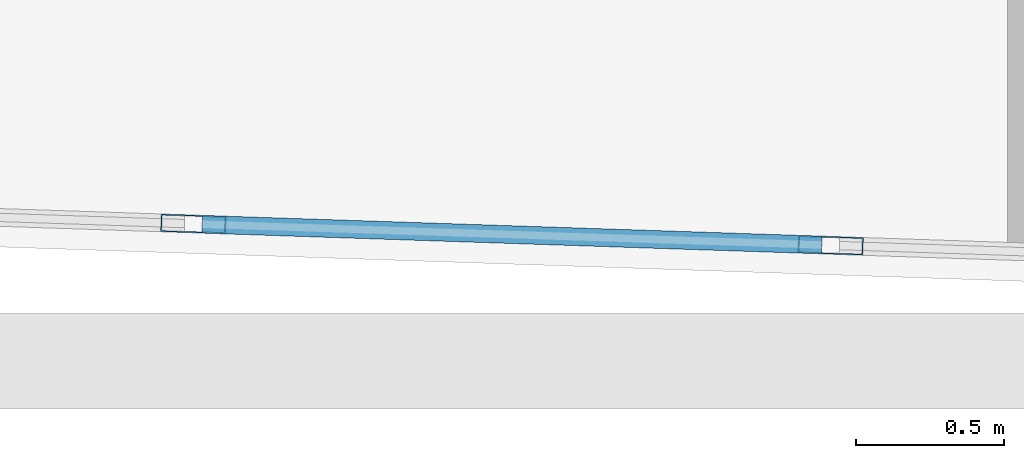
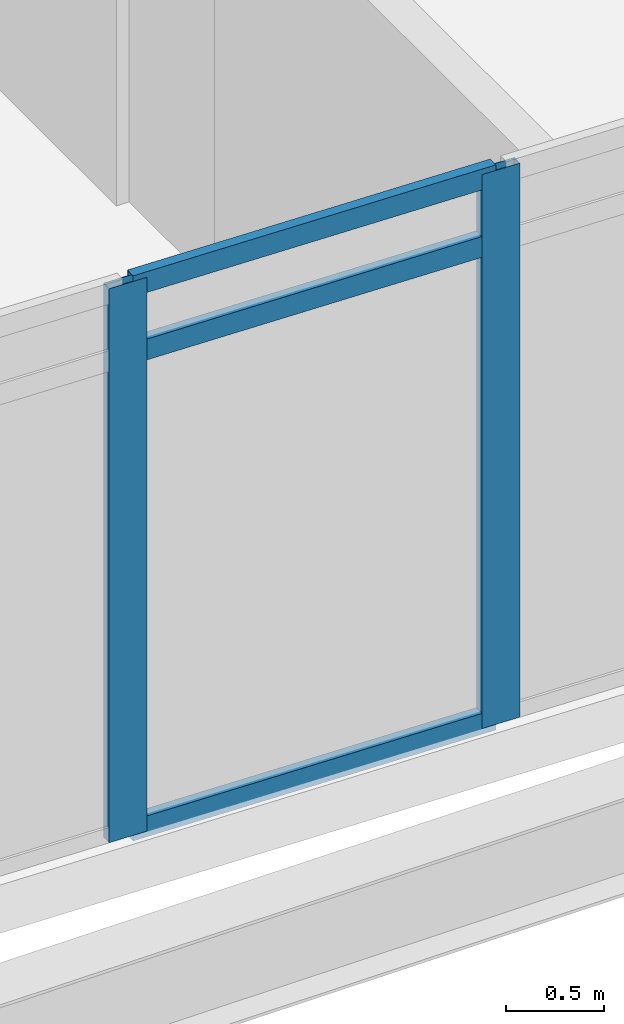
# One storey, part 5 of 29: 5 members, 1 element without a shape of its own.
"""IFC4 building model written with IfcOpenShell, lengths in metres."""

from ifc_helpers import new_model, si_unit, direction, frame, origin, origin_2d, place, context, subcontext, project, spatial, hollow_rectangle, extrude, material, material_profile, profile_set, type_object, element, aggregate, save


model = new_model("IFC4")

# Units and contexts
model_context = context("Model", 3, precision=1e-05, world=origin(), true_north=direction((0.0, 1.0)))
body_context = subcontext(model_context, "Body", "Model", "MODEL_VIEW")
ifc_project = project(units=[si_unit("LENGTHUNIT", "METRE"), si_unit("AREAUNIT", "SQUARE_METRE"), si_unit("VOLUMEUNIT", "CUBIC_METRE"), si_unit("PLANEANGLEUNIT", "RADIAN"), si_unit("MASSUNIT", "GRAM", prefix="KILO")], contexts=[model_context])

# Site, building, storey
site_placement = place(None, origin())
site = spatial("IfcSite", under=ifc_project, at=site_placement, CompositionType="ELEMENT")
building_placement = place(site_placement, origin())
building = spatial("IfcBuilding", under=site, at=building_placement, Name="Ostrander Bayou Hotel Tower", CompositionType="ELEMENT")
storey_placement = place(building_placement, frame((0.0, 0.0, 202.0)))
storey = spatial("IfcBuildingStorey", under=building, at=storey_placement, Name="L50", CompositionType="ELEMENT", Elevation=202.0)

# Curtain wall, members
ifc_material_1 = material(Name="Aluminium and clear glass", Category="aluminium")
curtain_wall_type = type_object("IfcCurtainWallType", Name="CW-BAR glazed wall", PredefinedType="NOTDEFINED", material=ifc_material_1)
curtain_wall_placement = place(storey_placement, origin())
curtain_wall = element("IfcCurtainWall", 1, at=curtain_wall_placement, inside=storey, type_object=curtain_wall_type, Name="CW-BAR L50:SB4S:T", PredefinedType="NOTDEFINED")
ifc_material_2 = material(Name="Aluminium", Category="aluminium")
ifc_material_profile_1 = material_profile(ifc_material_2, hollow_rectangle(XDim=0.06005859375, YDim=0.219970703125, WallThickness=0.00390625, at=origin_2d()))
ifc_profile_set_1 = profile_set([ifc_material_profile_1], Name="Aluminium")
member_type_1 = type_object("IfcMemberType", Name="CW-BR mullion 60 x 220 mm", PredefinedType="MULLION", material=ifc_profile_set_1)
member_1_placement = place(storey_placement, frame((1.077880859375, -29.68603515625, 0.0), z_axis=(0.0, 0.0, 1.0), x_axis=(0.03350511268, 0.999438546097, 0.0)))
member_1 = element("IfcMember", 2, at=member_1_placement, type_object=member_type_1, Name="CW-BAR mullion 7", PredefinedType="MULLION", context=body_context, shape_type="SweptSolid", body=[
    extrude(hollow_rectangle(XDim=0.06005859375, YDim=0.219970703125, WallThickness=0.00390625, at=origin_2d()), origin(), (0.0, 0.0, 1.0), 3.449951171875),
])
member_2_placement = place(storey_placement, frame((3.23388671875, -29.75830078125, 0.0), z_axis=(0.0, 0.0, 1.0), x_axis=(0.03350511268, 0.999438546097, 0.0)))
member_2 = element("IfcMember", 3, at=member_2_placement, type_object=member_type_1, Name="CW-BAR mullion 8", PredefinedType="MULLION", context=body_context, shape_type="SweptSolid", body=[
    extrude(hollow_rectangle(XDim=0.06005859375, YDim=0.219970703125, WallThickness=0.00390625, at=origin_2d()), origin(), (0.0, 0.0, 1.0), 3.449951171875),
])
ifc_material_3 = material(Name="Aluminium", Category="aluminium")
ifc_material_profile_2 = material_profile(ifc_material_3, hollow_rectangle(XDim=0.06005859375, YDim=0.1298828125, WallThickness=0.00390625, at=origin_2d()))
ifc_profile_set_2 = profile_set([ifc_material_profile_2], Name="Aluminium")
member_type_2 = type_object("IfcMemberType", Name="CW-BR transom 60 x 130 mm", PredefinedType="USERDEFINED", material=ifc_profile_set_2)
member_3_placement = place(storey_placement, frame((1.10791015625, -29.687255859375, 0.030029296875), z_axis=(0.999441672059, -0.033411736736, 0.0), x_axis=(0.033411736736, 0.999441672059, 0.0)))
member_3 = element("IfcMember", 4, at=member_3_placement, type_object=member_type_2, Name="CW-BAR transom 7.1", ObjectType="TRANSOM", PredefinedType="USERDEFINED", context=body_context, shape_type="SweptSolid", body=[
    extrude(hollow_rectangle(XDim=0.06005859375, YDim=0.1298828125, WallThickness=0.00390625, at=origin_2d()), origin(), (0.0, 0.0, 1.0), 2.09716796875),
])
member_4_placement = place(storey_placement, frame((1.10791015625, -29.687255859375, 3.0), z_axis=(0.999441672059, -0.033411736736, 0.0), x_axis=(0.033411736736, 0.999441672059, 0.0)))
member_4 = element("IfcMember", 5, at=member_4_placement, type_object=member_type_2, Name="CW-BAR transom 7.2", ObjectType="TRANSOM", PredefinedType="USERDEFINED", context=body_context, shape_type="SweptSolid", body=[
    extrude(hollow_rectangle(XDim=0.06005859375, YDim=0.1298828125, WallThickness=0.00390625, at=origin_2d()), origin(), (0.0, 0.0, 1.0), 2.09716796875),
])
member_5_placement = place(storey_placement, frame((1.10791015625, -29.687255859375, 3.419921875), z_axis=(0.999441672059, -0.033411736736, 0.0), x_axis=(0.033411736736, 0.999441672059, 0.0)))
member_5 = element("IfcMember", 6, at=member_5_placement, type_object=member_type_2, Name="CW-BAR transom 7.3", ObjectType="TRANSOM", PredefinedType="USERDEFINED", context=body_context, shape_type="SweptSolid", body=[
    extrude(hollow_rectangle(XDim=0.06005859375, YDim=0.1298828125, WallThickness=0.00390625, at=origin_2d()), origin(), (0.0, 0.0, 1.0), 2.09716796875),
])
aggregate(curtain_wall, [member_1, member_2, member_3, member_4, member_5])

save(model, "model.ifc")
